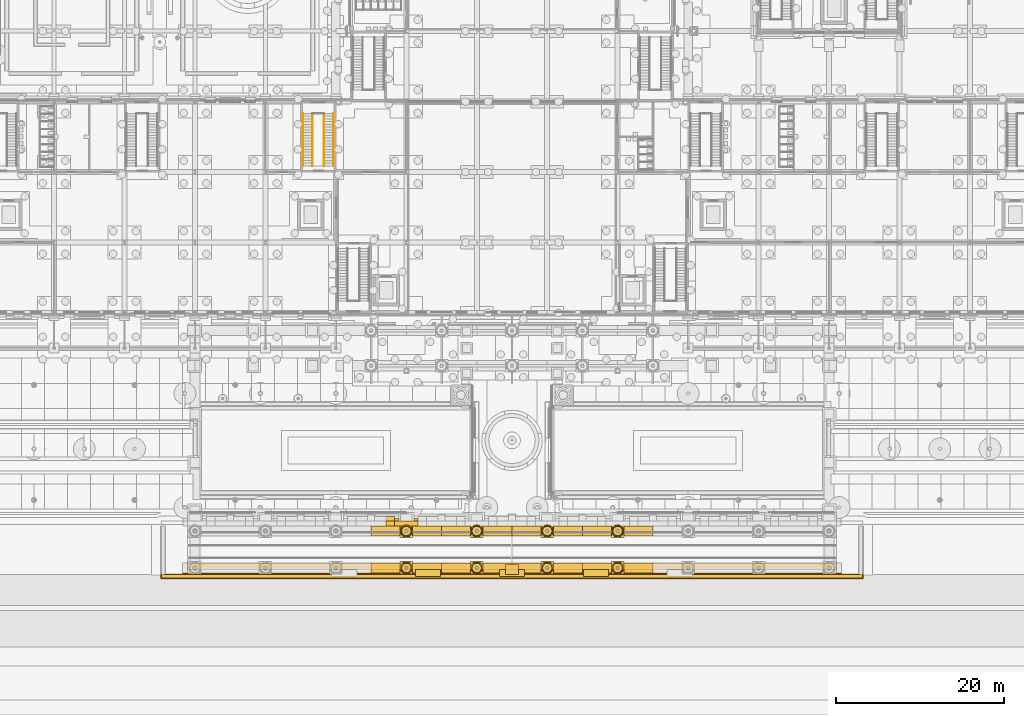
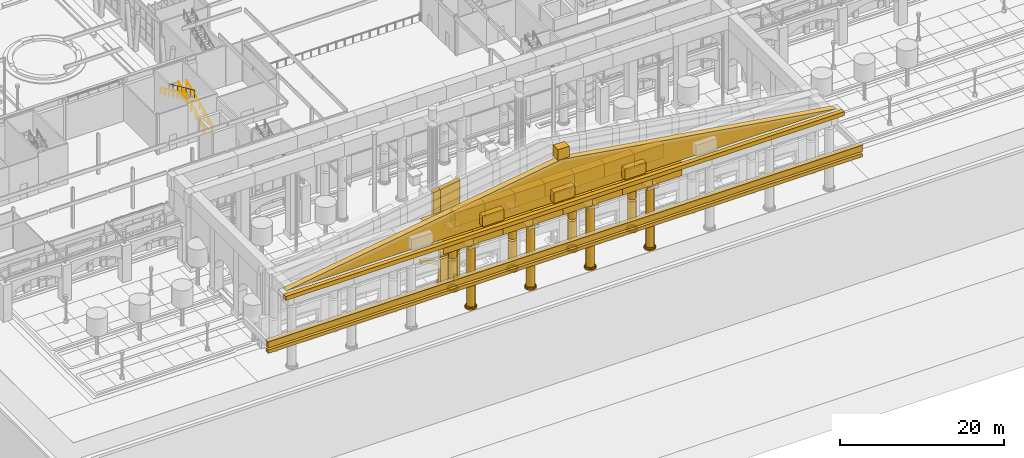
# One storey, part 120 of 222: 71 coverings, 4 railings.
"""IFC4 building model written with IfcOpenShell, lengths in metres."""

from ifc_helpers import new_model, si_unit, direction, frame, origin, origin_2d, place, context, subcontext, project, spatial, polyline, rectangle, circle, hollow_circle, outline, extrude, material, layer, layer_set, material_profile, profile_set, type_object, element, save


model = new_model("IFC4")

# Units and contexts
model_context = context("Model", 3, precision=1e-05, world=origin(), true_north=direction((0.0, 1.0)))
body_context = subcontext(model_context, "Body", "Model", "MODEL_VIEW")
ifc_project = project(units=[si_unit("LENGTHUNIT", "METRE"), si_unit("AREAUNIT", "SQUARE_METRE"), si_unit("VOLUMEUNIT", "CUBIC_METRE"), si_unit("PLANEANGLEUNIT", "RADIAN"), si_unit("MASSUNIT", "GRAM", prefix="KILO")], contexts=[model_context])

# Site, building, storey
site_placement = place(None, origin())
site = spatial("IfcSite", under=ifc_project, at=site_placement, CompositionType="ELEMENT")
building_placement = place(site_placement, origin())
building = spatial("IfcBuilding", under=site, at=building_placement, Name="Sava Quay Ferry Terminal", CompositionType="ELEMENT")
storey_placement = place(building_placement, origin())
storey = spatial("IfcBuildingStorey", under=building, at=storey_placement, Name="L00", CompositionType="ELEMENT", Elevation=0.0)

# Coverings
ifc_material_1 = material(Name="Limestone Mutalj", Category="masonry")
ifc_layer_1 = layer(ifc_material_1, 0.60009765625)
ifc_layer_set_1 = layer_set([ifc_layer_1], Name="Limestone Mutalj")
covering_type_1 = type_object("IfcCoveringType", Name="Arcade wall pier 2800", PredefinedType="CLADDING", material=ifc_layer_set_1)
covering_1_placement = place(storey_placement, frame((50.39990234375, 0.10009765625, 0.0), z_axis=(0.0, 0.0, 1.0), x_axis=(1.0, 0.0, 0.0)))
element("IfcCovering", 1, at=covering_1_placement, inside=storey, type_object=covering_type_1, Name="Arcade wall pier", PredefinedType="CLADDING", context=body_context, shape_type="SweptSolid", body=[
    extrude(rectangle(XDim=2.800048828125, YDim=0.60009765625, at=origin_2d()), origin(), (0.0, 0.0, 1.0), 4.5),
])
ifc_material_2 = material(Name="Limestone Mutalj", Category="masonry")
ifc_layer_2 = layer(ifc_material_2, 0.5)
ifc_layer_set_2 = layer_set([ifc_layer_2], Name="Limestone Mutalj")
covering_type_2 = type_object("IfcCoveringType", Name="Arch archivolt 500", PredefinedType="MOLDING", material=ifc_layer_set_2)
covering_2_placement = place(storey_placement, frame((46.64990234375, 0.39990234375, 4.1279296875), z_axis=(0.0, -1.0, 0.0), x_axis=(0.993307380301, 0.0, -0.115500858175)))
element("IfcCovering", 2, at=covering_2_placement, inside=storey, type_object=covering_type_2, Name="Arch archivolt", PredefinedType="MOLDING", context=body_context, shape_type="SweptSolid", body=[
    extrude(outline(polyline([(0.0, 0.0), (0.16910047517119814, 3.469446951953614e-18), (0.3386916034020246, -0.0063333722524431535), (0.5092865965134697, -0.019186226538567767), (0.6803722426845432, -0.03837245307713555), (0.8524617537362355, -0.06407816164938478), (1.025154711654367, -0.09708726921265261), (1.1988797329048202, -0.13685836549424574), (1.3734789061580595, -0.18414716899979858), (1.5487661216328463, -0.2394668915503016), (1.7251981942467658, -0.30251862955770537), (1.9024593013407467, -0.3748138200332787), (2.0810062578323745, -0.4560535593889721), (2.2605232410625775, -0.5477492846360541), (2.4415516613040493, -0.6503296122404072), (2.3707453490783825, -0.04139532709967292), (2.1917190189078077, 0.04396702589496604), (2.013922141231474, 0.12086984337877266), (1.8368415042283905, 0.18949923513298525), (1.66090572436444, 0.25039661143029707), (1.4856015898186314, 0.3037480820519464), (1.3113013201534418, 0.3505800706399143), (1.1375762989029885, 0.39035116692150745), (0.9645844373968073, 0.42381708940236024), (0.7925682423195425, 0.4510060365341754), (0.6210145018502029, 0.4721041180981913), (0.4503800309063738, 0.48741023768245734), (0.28017981611876747, 0.4968679983835679), (0.11089887085667155, 0.5005337971049285), (-0.05800421515260716, 0.4988362503124215), (0.0, 0.0)])), origin(), (0.0, 0.0, -1.0), 0.5),
])
ifc_material_3 = material(Name="Limestone Mutalj", Category="masonry")
ifc_layer_3 = layer(ifc_material_3, 0.60009765625)
ifc_layer_set_3 = layer_set([ifc_layer_3], Name="Limestone Mutalj")
covering_type_3 = type_object("IfcCoveringType", Name="Attic wall pier 2800", PredefinedType="CLADDING", material=ifc_layer_set_3)
covering_3_placement = place(storey_placement, frame((49.0, -0.199951171875, 4.800048828125), z_axis=(0.0, -1.0, 0.0), x_axis=(1.0, 0.0, 0.0)))
element("IfcCovering", 3, at=covering_3_placement, inside=storey, type_object=covering_type_3, Name="Attic wall pier", PredefinedType="CLADDING", context=body_context, shape_type="SweptSolid", body=[
    extrude(outline(polyline([(0.0, 0.0), (2.800048828125, 0.0), (2.800048828125, 10.513671875), (0.0, 10.079345703125), (0.0, 0.0)])), origin(), (0.0, 0.0, -1.0), 0.60009765625),
])
ifc_material_4 = material(Name="Limestone Mutalj", Category="masonry")
ifc_layer_4 = layer(ifc_material_4, 0.60009765625)
ifc_layer_set_4 = layer_set([ifc_layer_4], Name="Limestone Mutalj")
covering_type_4 = type_object("IfcCoveringType", Name="Attic window jamb panel 600", PredefinedType="CLADDING", material=ifc_layer_set_4)
covering_4_placement = place(storey_placement, frame((48.0, -0.199951171875, 6.199951171875), z_axis=(0.0, -1.0, 0.0), x_axis=(1.0, 0.0, 0.0)))
element("IfcCovering", 4, at=covering_4_placement, inside=storey, type_object=covering_type_4, Name="Attic window jamb panel", PredefinedType="CLADDING", context=body_context, shape_type="SweptSolid", body=[
    extrude(outline(polyline([(0.0, 0.0), (1.0, 0.0), (1.0, 8.679443359375), (0.0, 8.5244140625), (0.0, 0.0)])), origin(), (0.0, 0.0, -1.0), 0.60009765625),
])
ifc_material_5 = material(Name="Limestone Mutalj ashlar", Category="masonry")
ifc_material_profile_1 = material_profile(ifc_material_5, hollow_circle(Radius=0.75, WallThickness=0.199951171875, at=origin_2d()), Name="Base plinth 1500")
ifc_profile_set_1 = profile_set([ifc_material_profile_1], Name="Limestone Mutalj ashlar")
covering_type_5 = type_object("IfcCoveringType", Name="Giant-order base plinth 1500", PredefinedType="CLADDING", material=ifc_profile_set_1)
for number, where, z_axis, x_axis, name in (
    (5, (50.39990234375, -5.199951171875, 0.0), (0.0, 0.0, 1.0), (1.0, 0.0, 0.0), "Giant-order base plinth"),
    (6, (50.39990234375, -0.800048828125, 0.0), (0.0, 0.0, 1.0), (1.0, 0.0, 0.0), "Giant-order base plinth"),
    (7, (58.800048828125, -5.199951171875, 0.0), (0.0, 0.0, 1.0), (1.0, 0.0, 0.0), "Giant-order base plinth"),
    (8, (58.800048828125, -0.800048828125, 0.0), (0.0, 0.0, 1.0), (1.0, 0.0, 0.0), "Giant-order base plinth"),
    (9, (67.199951171875, -5.199951171875, 0.0), (0.0, 0.0, 1.0), (1.0, 0.0, 0.0), "Giant-order base plinth"),
    (10, (67.199951171875, -0.800048828125, 0.0), (0.0, 0.0, 1.0), (1.0, 0.0, 0.0), "Giant-order base plinth"),
    (11, (75.60009765625, -5.199951171875, 0.0), (0.0, 0.0, 1.0), (1.0, 0.0, 0.0), "Giant-order base plinth"),
    (12, (75.60009765625, -0.800048828125, 0.0), (0.0, 0.0, 1.0), (1.0, 0.0, 0.0), "Giant-order base plinth"),
):
    element("IfcCovering", number, at=place(storey_placement, frame(where, z_axis=z_axis, x_axis=x_axis)), inside=storey, type_object=covering_type_5, Name=name, PredefinedType="CLADDING", context=body_context, shape_type="SweptSolid", body=[
        extrude(hollow_circle(Radius=0.75, WallThickness=0.199951171875, at=origin_2d()), origin(), (0.0, 0.0, 1.0), 0.179931640625),
    ])
ifc_material_6 = material(Name="Limestone Mutalj ashlar", Category="masonry")
ifc_material_profile_2 = material_profile(ifc_material_6, hollow_circle(Radius=0.64990234375, WallThickness=0.10009765625, at=origin_2d()), Name="Base roll 1300")
ifc_profile_set_2 = profile_set([ifc_material_profile_2], Name="Limestone Mutalj ashlar")
covering_type_6 = type_object("IfcCoveringType", Name="Giant-order base roll 1300", PredefinedType="CLADDING", material=ifc_profile_set_2)
for number, where, z_axis, x_axis, name in (
    (13, (50.39990234375, -5.199951171875, 0.179931640625), (0.0, 0.0, 1.0), (1.0, 0.0, 0.0), "Giant-order base roll"),
    (14, (50.39990234375, -0.800048828125, 0.179931640625), (0.0, 0.0, 1.0), (1.0, 0.0, 0.0), "Giant-order base roll"),
    (15, (58.800048828125, -5.199951171875, 0.179931640625), (0.0, 0.0, 1.0), (1.0, 0.0, 0.0), "Giant-order base roll"),
    (16, (58.800048828125, -0.800048828125, 0.179931640625), (0.0, 0.0, 1.0), (1.0, 0.0, 0.0), "Giant-order base roll"),
    (17, (67.199951171875, -5.199951171875, 0.179931640625), (0.0, 0.0, 1.0), (1.0, 0.0, 0.0), "Giant-order base roll"),
    (18, (67.199951171875, -0.800048828125, 0.179931640625), (0.0, 0.0, 1.0), (1.0, 0.0, 0.0), "Giant-order base roll"),
    (19, (75.60009765625, -5.199951171875, 0.179931640625), (0.0, 0.0, 1.0), (1.0, 0.0, 0.0), "Giant-order base roll"),
    (20, (75.60009765625, -0.800048828125, 0.179931640625), (0.0, 0.0, 1.0), (1.0, 0.0, 0.0), "Giant-order base roll"),
):
    element("IfcCovering", number, at=place(storey_placement, frame(where, z_axis=z_axis, x_axis=x_axis)), inside=storey, type_object=covering_type_6, Name=name, PredefinedType="CLADDING", context=body_context, shape_type="SweptSolid", body=[
        extrude(hollow_circle(Radius=0.64990234375, WallThickness=0.10009765625, at=origin_2d()), origin(), (0.0, 0.0, 1.0), 0.18017578125),
    ])
ifc_material_7 = material(Name="Limestone Mutalj", Category="masonry")
ifc_layer_5 = layer(ifc_material_7, 0.5)
ifc_layer_set_5 = layer_set([ifc_layer_5], Name="Limestone Mutalj")
covering_type_7 = type_object("IfcCoveringType", Name="Giant-order capital 1500", PredefinedType="CLADDING", material=ifc_layer_set_5)
for number, where, z_axis, x_axis, name in (
    (21, (50.39990234375, -5.199951171875, 9.10009765625), (0.0, 0.0, 1.0), (1.0, 0.0, 0.0), "Giant-order capital"),
    (22, (50.39990234375, -0.800048828125, 9.10009765625), (0.0, 0.0, 1.0), (1.0, 0.0, 0.0), "Giant-order capital"),
    (23, (58.800048828125, -5.199951171875, 9.10009765625), (0.0, 0.0, 1.0), (1.0, 0.0, 0.0), "Giant-order capital"),
    (24, (58.800048828125, -0.800048828125, 9.10009765625), (0.0, 0.0, 1.0), (1.0, 0.0, 0.0), "Giant-order capital"),
    (25, (67.199951171875, -5.199951171875, 9.10009765625), (0.0, 0.0, 1.0), (1.0, 0.0, 0.0), "Giant-order capital"),
    (26, (67.199951171875, -0.800048828125, 9.10009765625), (0.0, 0.0, 1.0), (1.0, 0.0, 0.0), "Giant-order capital"),
    (27, (75.60009765625, -5.199951171875, 9.10009765625), (0.0, 0.0, 1.0), (1.0, 0.0, 0.0), "Giant-order capital"),
    (28, (75.60009765625, -0.800048828125, 9.10009765625), (0.0, 0.0, 1.0), (1.0, 0.0, 0.0), "Giant-order capital"),
):
    element("IfcCovering", number, at=place(storey_placement, frame(where, z_axis=z_axis, x_axis=x_axis)), inside=storey, type_object=covering_type_7, Name=name, PredefinedType="CLADDING", context=body_context, shape_type="SweptSolid", body=[
        extrude(rectangle(XDim=1.5, YDim=1.5, at=origin_2d()), origin(), (0.0, 0.0, 1.0), 0.5),
    ])
ifc_material_8 = material(Name="Limestone Mutalj ashlar", Category="masonry")
ifc_material_profile_3 = material_profile(ifc_material_8, hollow_circle(Radius=0.550048828125, WallThickness=0.37158203125, at=origin_2d()), Name="Stone shaft D1100")
ifc_profile_set_3 = profile_set([ifc_material_profile_3], Name="Limestone Mutalj ashlar")
covering_type_8 = type_object("IfcCoveringType", Name="Giant-order stone shaft D1100", PredefinedType="CLADDING", material=ifc_profile_set_3)
covering_5_placement = place(storey_placement, frame((50.39990234375, -5.199951171875, 0.0), z_axis=(0.0, 0.0, 1.0), x_axis=(1.0, 0.0, 0.0)))
element("IfcCovering", 29, at=covering_5_placement, inside=storey, type_object=covering_type_8, Name="Giant-order column shaft", PredefinedType="CLADDING", context=body_context, shape_type="SweptSolid", body=[
    extrude(hollow_circle(Radius=0.550048828125, WallThickness=0.37158203125, at=origin_2d()), origin(), (0.0, 0.0, 1.0), 4.5),
])
covering_6_placement = place(storey_placement, frame((50.39990234375, -5.199951171875, 4.800048828125), z_axis=(0.0, 0.0, 1.0), x_axis=(1.0, 0.0, 0.0)))
element("IfcCovering", 30, at=covering_6_placement, inside=storey, type_object=covering_type_8, Name="Giant-order column shaft", PredefinedType="CLADDING", context=body_context, shape_type="SweptSolid", body=[
    extrude(hollow_circle(Radius=0.550048828125, WallThickness=0.37158203125, at=origin_2d()), origin(), (0.0, 0.0, 1.0), 4.300048828125),
])
covering_7_placement = place(storey_placement, frame((50.39990234375, -0.800048828125, 0.0), z_axis=(0.0, 0.0, 1.0), x_axis=(1.0, 0.0, 0.0)))
element("IfcCovering", 31, at=covering_7_placement, inside=storey, type_object=covering_type_8, Name="Giant-order column shaft", PredefinedType="CLADDING", context=body_context, shape_type="SweptSolid", body=[
    extrude(hollow_circle(Radius=0.550048828125, WallThickness=0.37158203125, at=origin_2d()), origin(), (0.0, 0.0, 1.0), 4.5),
])
covering_8_placement = place(storey_placement, frame((50.39990234375, -0.800048828125, 4.800048828125), z_axis=(0.0, 0.0, 1.0), x_axis=(1.0, 0.0, 0.0)))
element("IfcCovering", 32, at=covering_8_placement, inside=storey, type_object=covering_type_8, Name="Giant-order column shaft", PredefinedType="CLADDING", context=body_context, shape_type="SweptSolid", body=[
    extrude(hollow_circle(Radius=0.550048828125, WallThickness=0.37158203125, at=origin_2d()), origin(), (0.0, 0.0, 1.0), 4.300048828125),
])
covering_9_placement = place(storey_placement, frame((58.800048828125, -5.199951171875, 0.0), z_axis=(0.0, 0.0, 1.0), x_axis=(1.0, 0.0, 0.0)))
element("IfcCovering", 33, at=covering_9_placement, inside=storey, type_object=covering_type_8, Name="Giant-order column shaft", PredefinedType="CLADDING", context=body_context, shape_type="SweptSolid", body=[
    extrude(hollow_circle(Radius=0.550048828125, WallThickness=0.37158203125, at=origin_2d()), origin(), (0.0, 0.0, 1.0), 4.5),
])
covering_10_placement = place(storey_placement, frame((58.800048828125, -5.199951171875, 4.800048828125), z_axis=(0.0, 0.0, 1.0), x_axis=(1.0, 0.0, 0.0)))
element("IfcCovering", 34, at=covering_10_placement, inside=storey, type_object=covering_type_8, Name="Giant-order column shaft", PredefinedType="CLADDING", context=body_context, shape_type="SweptSolid", body=[
    extrude(hollow_circle(Radius=0.550048828125, WallThickness=0.37158203125, at=origin_2d()), origin(), (0.0, 0.0, 1.0), 4.300048828125),
])
covering_11_placement = place(storey_placement, frame((58.800048828125, -0.800048828125, 0.0), z_axis=(0.0, 0.0, 1.0), x_axis=(1.0, 0.0, 0.0)))
element("IfcCovering", 35, at=covering_11_placement, inside=storey, type_object=covering_type_8, Name="Giant-order column shaft", PredefinedType="CLADDING", context=body_context, shape_type="SweptSolid", body=[
    extrude(hollow_circle(Radius=0.550048828125, WallThickness=0.37158203125, at=origin_2d()), origin(), (0.0, 0.0, 1.0), 4.5),
])
covering_12_placement = place(storey_placement, frame((58.800048828125, -0.800048828125, 4.800048828125), z_axis=(0.0, 0.0, 1.0), x_axis=(1.0, 0.0, 0.0)))
element("IfcCovering", 36, at=covering_12_placement, inside=storey, type_object=covering_type_8, Name="Giant-order column shaft", PredefinedType="CLADDING", context=body_context, shape_type="SweptSolid", body=[
    extrude(hollow_circle(Radius=0.550048828125, WallThickness=0.37158203125, at=origin_2d()), origin(), (0.0, 0.0, 1.0), 4.300048828125),
])
covering_13_placement = place(storey_placement, frame((67.199951171875, -5.199951171875, 0.0), z_axis=(0.0, 0.0, 1.0), x_axis=(1.0, 0.0, 0.0)))
element("IfcCovering", 37, at=covering_13_placement, inside=storey, type_object=covering_type_8, Name="Giant-order column shaft", PredefinedType="CLADDING", context=body_context, shape_type="SweptSolid", body=[
    extrude(hollow_circle(Radius=0.550048828125, WallThickness=0.37158203125, at=origin_2d()), origin(), (0.0, 0.0, 1.0), 4.5),
])
covering_14_placement = place(storey_placement, frame((67.199951171875, -5.199951171875, 4.800048828125), z_axis=(0.0, 0.0, 1.0), x_axis=(1.0, 0.0, 0.0)))
element("IfcCovering", 38, at=covering_14_placement, inside=storey, type_object=covering_type_8, Name="Giant-order column shaft", PredefinedType="CLADDING", context=body_context, shape_type="SweptSolid", body=[
    extrude(hollow_circle(Radius=0.550048828125, WallThickness=0.37158203125, at=origin_2d()), origin(), (0.0, 0.0, 1.0), 4.300048828125),
])
covering_15_placement = place(storey_placement, frame((67.199951171875, -0.800048828125, 0.0), z_axis=(0.0, 0.0, 1.0), x_axis=(1.0, 0.0, 0.0)))
element("IfcCovering", 39, at=covering_15_placement, inside=storey, type_object=covering_type_8, Name="Giant-order column shaft", PredefinedType="CLADDING", context=body_context, shape_type="SweptSolid", body=[
    extrude(hollow_circle(Radius=0.550048828125, WallThickness=0.37158203125, at=origin_2d()), origin(), (0.0, 0.0, 1.0), 4.5),
])
covering_16_placement = place(storey_placement, frame((67.199951171875, -0.800048828125, 4.800048828125), z_axis=(0.0, 0.0, 1.0), x_axis=(1.0, 0.0, 0.0)))
element("IfcCovering", 40, at=covering_16_placement, inside=storey, type_object=covering_type_8, Name="Giant-order column shaft", PredefinedType="CLADDING", context=body_context, shape_type="SweptSolid", body=[
    extrude(hollow_circle(Radius=0.550048828125, WallThickness=0.37158203125, at=origin_2d()), origin(), (0.0, 0.0, 1.0), 4.300048828125),
])
covering_17_placement = place(storey_placement, frame((75.60009765625, -5.199951171875, 0.0), z_axis=(0.0, 0.0, 1.0), x_axis=(1.0, 0.0, 0.0)))
element("IfcCovering", 41, at=covering_17_placement, inside=storey, type_object=covering_type_8, Name="Giant-order column shaft", PredefinedType="CLADDING", context=body_context, shape_type="SweptSolid", body=[
    extrude(hollow_circle(Radius=0.550048828125, WallThickness=0.37158203125, at=origin_2d()), origin(), (0.0, 0.0, 1.0), 4.5),
])
covering_18_placement = place(storey_placement, frame((75.60009765625, -5.199951171875, 4.800048828125), z_axis=(0.0, 0.0, 1.0), x_axis=(1.0, 0.0, 0.0)))
element("IfcCovering", 42, at=covering_18_placement, inside=storey, type_object=covering_type_8, Name="Giant-order column shaft", PredefinedType="CLADDING", context=body_context, shape_type="SweptSolid", body=[
    extrude(hollow_circle(Radius=0.550048828125, WallThickness=0.37158203125, at=origin_2d()), origin(), (0.0, 0.0, 1.0), 4.300048828125),
])
covering_19_placement = place(storey_placement, frame((75.60009765625, -0.800048828125, 0.0), z_axis=(0.0, 0.0, 1.0), x_axis=(1.0, 0.0, 0.0)))
element("IfcCovering", 43, at=covering_19_placement, inside=storey, type_object=covering_type_8, Name="Giant-order column shaft", PredefinedType="CLADDING", context=body_context, shape_type="SweptSolid", body=[
    extrude(hollow_circle(Radius=0.550048828125, WallThickness=0.37158203125, at=origin_2d()), origin(), (0.0, 0.0, 1.0), 4.5),
])
covering_20_placement = place(storey_placement, frame((75.60009765625, -0.800048828125, 4.800048828125), z_axis=(0.0, 0.0, 1.0), x_axis=(1.0, 0.0, 0.0)))
element("IfcCovering", 44, at=covering_20_placement, inside=storey, type_object=covering_type_8, Name="Giant-order column shaft", PredefinedType="CLADDING", context=body_context, shape_type="SweptSolid", body=[
    extrude(hollow_circle(Radius=0.550048828125, WallThickness=0.37158203125, at=origin_2d()), origin(), (0.0, 0.0, 1.0), 4.300048828125),
])

# Railings
ifc_material_9 = material(Name="Steel S355", Category="steel")
railing_type_1 = type_object("IfcRailingType", Name="Guard 1100", PredefinedType="GUARDRAIL", material=ifc_material_9)
railing_1_placement = place(storey_placement, frame((40.60009765625, 42.72998046875, 0.14990234375)))
element("IfcRailing", 45, at=railing_1_placement, inside=storey, type_object=railing_type_1, Name="Guard at stair well ST-W2 L00", PredefinedType="GUARDRAIL", context=body_context, shape_type="SweptSolid", body=[
    extrude(circle(Radius=0.02392578125, at=origin_2d()), frame((0.0, 0.0, 1.076171875), z_axis=(0.0, 0.910361621584, 0.413813627068), x_axis=(-1.0, 0.0, 0.0)), (0.0, 0.0, 1.0), 6.887451171875),
    extrude(circle(Radius=0.02099609375, at=origin_2d()), origin(), (0.0, 0.0, 1.0), 1.052001953125),
    extrude(circle(Radius=0.02099609375, at=origin_2d()), frame((0.0, 1.044921875, 0.47509765625)), (0.0, 0.0, 1.0), 1.052001953125),
    extrude(circle(Radius=0.02099609375, at=origin_2d()), frame((0.0, 2.090087890625, 0.949951171875)), (0.0, 0.0, 1.0), 1.052001953125),
    extrude(circle(Radius=0.02099609375, at=origin_2d()), frame((0.0, 3.135009765625, 1.425048828125)), (0.0, 0.0, 1.0), 1.052001953125),
    extrude(circle(Radius=0.02099609375, at=origin_2d()), frame((0.0, 4.179931640625, 1.900146484375)), (0.0, 0.0, 1.0), 1.052001953125),
    extrude(circle(Radius=0.02099609375, at=origin_2d()), frame((0.0, 5.22509765625, 2.375)), (0.0, 0.0, 1.0), 1.052001953125),
    extrude(circle(Radius=0.02099609375, at=origin_2d()), frame((0.0, 6.27001953125, 2.85009765625)), (0.0, 0.0, 1.0), 1.052001953125),
])
railing_2_placement = place(storey_placement, frame((39.199951171875, 49.0, 3.14990234375)))
element("IfcRailing", 46, at=railing_2_placement, inside=storey, type_object=railing_type_1, Name="Guard at stair well ST-W2 L00", PredefinedType="GUARDRAIL", context=body_context, shape_type="SweptSolid", body=[
    extrude(circle(Radius=0.02392578125, at=origin_2d()), frame((0.0, 0.0, 1.076171875), z_axis=(0.0, -0.910361621584, 0.413813627068), x_axis=(1.0, 0.0, 0.0)), (0.0, 0.0, 1.0), 6.887451171875),
    extrude(circle(Radius=0.02099609375, at=origin_2d()), origin(), (0.0, 0.0, 1.0), 1.052001953125),
    extrude(circle(Radius=0.02099609375, at=origin_2d()), frame((0.0, -1.044921875, 0.47509765625)), (0.0, 0.0, 1.0), 1.052001953125),
    extrude(circle(Radius=0.02099609375, at=origin_2d()), frame((0.0, -2.090087890625, 0.949951171875)), (0.0, 0.0, 1.0), 1.052001953125),
    extrude(circle(Radius=0.02099609375, at=origin_2d()), frame((0.0, -3.135009765625, 1.425048828125)), (0.0, 0.0, 1.0), 1.052001953125),
    extrude(circle(Radius=0.02099609375, at=origin_2d()), frame((0.0, -4.179931640625, 1.900146484375)), (0.0, 0.0, 1.0), 1.052001953125),
    extrude(circle(Radius=0.02099609375, at=origin_2d()), frame((0.0, -5.22509765625, 2.375)), (0.0, 0.0, 1.0), 1.052001953125),
    extrude(circle(Radius=0.02099609375, at=origin_2d()), frame((0.0, -6.27001953125, 2.85009765625)), (0.0, 0.0, 1.0), 1.052001953125),
])

# Coverings
ifc_material_10 = material(Name="Limestone Mutalj", Category="masonry")
ifc_layer_6 = layer(ifc_material_10, 0.5)
ifc_layer_set_6 = layer_set([ifc_layer_6], Name="Limestone Mutalj")
covering_type_9 = type_object("IfcCoveringType", Name="Lane roof fascia 500", PredefinedType="MOLDING", material=ifc_layer_set_6)
covering_21_placement = place(storey_placement, frame((63.0, -6.14990234375, 4.0), z_axis=(0.0, 0.0, 1.0), x_axis=(1.0, 0.0, 0.0)))
element("IfcCovering", 47, at=covering_21_placement, inside=storey, type_object=covering_type_9, Name="Lane roof fascia", PredefinedType="MOLDING", context=body_context, shape_type="SweptSolid", body=[
    extrude(rectangle(XDim=83.60009765625, YDim=0.5, at=origin_2d()), origin(), (0.0, 0.0, 1.0), 0.5),
])
ifc_material_11 = material(Name="Limestone Mutalj", Category="masonry")
ifc_layer_7 = layer(ifc_material_11, 0.39990234375)
ifc_layer_set_7 = layer_set([ifc_layer_7], Name="Limestone Mutalj")
covering_type_10 = type_object("IfcCoveringType", Name="Lane roof parapet 400", PredefinedType="CLADDING", material=ifc_layer_set_7)
covering_22_placement = place(storey_placement, frame((63.0, -6.199951171875, 4.800048828125), z_axis=(0.0, 0.0, 1.0), x_axis=(1.0, 0.0, 0.0)))
element("IfcCovering", 48, at=covering_22_placement, inside=storey, type_object=covering_type_10, Name="Lane roof parapet", PredefinedType="CLADDING", context=body_context, shape_type="SweptSolid", body=[
    extrude(rectangle(XDim=83.60009765625, YDim=0.39990234375, at=origin_2d()), origin(), (0.0, 0.0, 1.0), 0.89990234375),
])
ifc_material_12 = material(Name="Limestone Mutalj", Category="masonry")
ifc_layer_8 = layer(ifc_material_12, 0.60009765625)
ifc_layer_set_8 = layer_set([ifc_layer_8], Name="Limestone Mutalj")
covering_type_11 = type_object("IfcCoveringType", Name="Lane roof parapet coping 600", PredefinedType="MOLDING", material=ifc_layer_set_8)
covering_23_placement = place(storey_placement, frame((63.0, -6.199951171875, 5.699951171875), z_axis=(0.0, 0.0, 1.0), x_axis=(1.0, 0.0, 0.0)))
element("IfcCovering", 49, at=covering_23_placement, inside=storey, type_object=covering_type_11, Name="Lane roof parapet coping", PredefinedType="MOLDING", context=body_context, shape_type="SweptSolid", body=[
    extrude(rectangle(XDim=83.800048828125, YDim=0.60009765625, at=origin_2d()), origin(), (0.0, 0.0, 1.0), 0.14990234375),
])
ifc_material_13 = material(Name="Limestone Mutalj", Category="masonry")
ifc_layer_9 = layer(ifc_material_13, 1.199951171875)
ifc_layer_set_9 = layer_set([ifc_layer_9], Name="Limestone Mutalj")
covering_type_12 = type_object("IfcCoveringType", Name="Pediment acroterion 1600", PredefinedType="MOLDING", material=ifc_layer_set_9)
covering_24_placement = place(storey_placement, frame((63.0, -5.39990234375, 18.099853515625), z_axis=(0.0, 0.0, 1.0), x_axis=(1.0, 0.0, 0.0)))
element("IfcCovering", 50, at=covering_24_placement, inside=storey, type_object=covering_type_12, Name="Pediment acroterion", PredefinedType="MOLDING", context=body_context, shape_type="SweptSolid", body=[
    extrude(rectangle(XDim=1.60009765625, YDim=1.199951171875, at=origin_2d()), origin(), (0.0, 0.0, 1.0), 1.60009765625),
])
ifc_material_14 = material(Name="Limestone Mutalj", Category="masonry")
ifc_layer_10 = layer(ifc_material_14, 0.800048828125)
ifc_layer_set_10 = layer_set([ifc_layer_10], Name="Limestone Mutalj")
covering_type_13 = type_object("IfcCoveringType", Name="Pediment tympanum 800", PredefinedType="CLADDING", material=ifc_layer_set_10)
covering_25_placement = place(storey_placement, frame((24.300048828125, -5.39990234375, 11.60009765625), z_axis=(0.0, -1.0, 0.0), x_axis=(1.0, 0.0, 0.0)))
element("IfcCovering", 51, at=covering_25_placement, inside=storey, type_object=covering_type_13, Name="Pediment tympanum", PredefinedType="CLADDING", context=body_context, shape_type="SweptSolid", body=[
    extrude(outline(polyline([(0.0, 0.0), (77.39990234375, 0.0), (38.699951171875, 6.0), (0.0, 0.0)])), origin(), (0.0, 0.0, -1.0), 0.800048828125),
])
ifc_material_15 = material(Name="Limestone Mutalj", Category="masonry")
ifc_layer_11 = layer(ifc_material_15, 0.300048828125)
ifc_layer_set_11 = layer_set([ifc_layer_11], Name="Limestone Mutalj")
covering_type_14 = type_object("IfcCoveringType", Name="Pier rustication block 300", PredefinedType="CLADDING", material=ifc_layer_set_11)
for number, where, z_axis, x_axis, name in (
    (52, (49.25, 0.550048828125, 0.0), (0.0, 0.0, 1.0), (1.0, 0.0, 0.0), "Pier rustication block"),
    (53, (51.550048828125, 0.550048828125, 0.0), (0.0, 0.0, 1.0), (1.0, 0.0, 0.0), "Pier rustication block"),
):
    element("IfcCovering", number, at=place(storey_placement, frame(where, z_axis=z_axis, x_axis=x_axis)), inside=storey, type_object=covering_type_14, Name=name, PredefinedType="CLADDING", context=body_context, shape_type="SweptSolid", body=[
        extrude(rectangle(XDim=0.5, YDim=0.300048828125, at=origin_2d()), origin(), (0.0, 0.0, 1.0), 1.0),
    ])
ifc_material_16 = material(Name="Limestone Mutalj", Category="masonry")
ifc_layer_12 = layer(ifc_material_16, 0.800048828125)
ifc_layer_set_12 = layer_set([ifc_layer_12], Name="Limestone Mutalj")
covering_type_15 = type_object("IfcCoveringType", Name="Portico cartouche 800", PredefinedType="CLADDING", material=ifc_layer_set_12)
for number, where, z_axis, x_axis, name in (
    (54, (53.0, -5.800048828125, 12.099853515625), (0.0, 0.0, 1.0), (1.0, 0.0, 0.0), "Portico cartouche"),
    (55, (63.0, -5.800048828125, 12.099853515625), (0.0, 0.0, 1.0), (1.0, 0.0, 0.0), "Portico cartouche"),
    (56, (73.0, -5.800048828125, 12.099853515625), (0.0, 0.0, 1.0), (1.0, 0.0, 0.0), "Portico cartouche"),
):
    element("IfcCovering", number, at=place(storey_placement, frame(where, z_axis=z_axis, x_axis=x_axis)), inside=storey, type_object=covering_type_15, Name=name, PredefinedType="CLADDING", context=body_context, shape_type="SweptSolid", body=[
        extrude(rectangle(XDim=3.0, YDim=0.800048828125, at=origin_2d()), origin(), (0.0, 0.0, 1.0), 1.60009765625),
    ])
ifc_material_17 = material(Name="Limestone Mutalj", Category="masonry")
ifc_layer_13 = layer(ifc_material_17, 0.60009765625)
ifc_layer_set_13 = layer_set([ifc_layer_13], Name="Limestone Mutalj")
covering_type_16 = type_object("IfcCoveringType", Name="Portico cornice 600", PredefinedType="MOLDING", material=ifc_layer_set_13)
covering_26_placement = place(storey_placement, frame((63.0, -6.10009765625, 11.0), z_axis=(0.0, 0.0, 1.0), x_axis=(1.0, 0.0, 0.0)))
element("IfcCovering", 57, at=covering_26_placement, inside=storey, type_object=covering_type_16, Name="Portico cornice", PredefinedType="MOLDING", context=body_context, shape_type="SweptSolid", body=[
    extrude(rectangle(XDim=78.60009765625, YDim=0.60009765625, at=origin_2d()), origin(), (0.0, 0.0, 1.0), 0.60009765625),
])
ifc_material_18 = material(Name="Limestone Mutalj", Category="masonry")
ifc_layer_14 = layer(ifc_material_18, 2.0)
ifc_layer_set_14 = layer_set([ifc_layer_14], Name="Limestone Mutalj")
covering_type_17 = type_object("IfcCoveringType", Name="Portico entablature 2000", PredefinedType="CLADDING", material=ifc_layer_set_14)
for number, where, z_axis, x_axis, name in (
    (58, (48.300048828125, -5.199951171875, 9.60009765625), (0.0, 0.0, 1.0), (1.0, 0.0, 0.0), "Portico entablature"),
    (59, (52.5, -5.199951171875, 9.60009765625), (0.0, 0.0, 1.0), (1.0, 0.0, 0.0), "Portico entablature"),
    (60, (56.699951171875, -5.199951171875, 9.60009765625), (0.0, 0.0, 1.0), (1.0, 0.0, 0.0), "Portico entablature"),
    (61, (60.89990234375, -5.199951171875, 9.60009765625), (0.0, 0.0, 1.0), (1.0, 0.0, 0.0), "Portico entablature"),
    (62, (65.10009765625, -5.199951171875, 9.60009765625), (0.0, 0.0, 1.0), (1.0, 0.0, 0.0), "Portico entablature"),
    (63, (69.300048828125, -5.199951171875, 9.60009765625), (0.0, 0.0, 1.0), (1.0, 0.0, 0.0), "Portico entablature"),
    (64, (73.5, -5.199951171875, 9.60009765625), (0.0, 0.0, 1.0), (1.0, 0.0, 0.0), "Portico entablature"),
    (65, (77.699951171875, -5.199951171875, 9.60009765625), (0.0, 0.0, 1.0), (1.0, 0.0, 0.0), "Portico entablature"),
    (66, (48.300048828125, -0.800048828125, 9.60009765625), (0.0, 0.0, 1.0), (1.0, 0.0, 0.0), "Portico entablature"),
    (67, (52.5, -0.800048828125, 9.60009765625), (0.0, 0.0, 1.0), (1.0, 0.0, 0.0), "Portico entablature"),
    (68, (56.699951171875, -0.800048828125, 9.60009765625), (0.0, 0.0, 1.0), (1.0, 0.0, 0.0), "Portico entablature"),
    (69, (60.89990234375, -0.800048828125, 9.60009765625), (0.0, 0.0, 1.0), (1.0, 0.0, 0.0), "Portico entablature"),
    (70, (65.10009765625, -0.800048828125, 9.60009765625), (0.0, 0.0, 1.0), (1.0, 0.0, 0.0), "Portico entablature"),
    (71, (69.300048828125, -0.800048828125, 9.60009765625), (0.0, 0.0, 1.0), (1.0, 0.0, 0.0), "Portico entablature"),
    (72, (73.5, -0.800048828125, 9.60009765625), (0.0, 0.0, 1.0), (1.0, 0.0, 0.0), "Portico entablature"),
    (73, (77.699951171875, -0.800048828125, 9.60009765625), (0.0, 0.0, 1.0), (1.0, 0.0, 0.0), "Portico entablature"),
):
    element("IfcCovering", number, at=place(storey_placement, frame(where, z_axis=z_axis, x_axis=x_axis)), inside=storey, type_object=covering_type_17, Name=name, PredefinedType="CLADDING", context=body_context, shape_type="SweptSolid", body=[
        extrude(rectangle(XDim=4.199951171875, YDim=1.199951171875, at=origin_2d()), origin(), (0.0, 0.0, 1.0), 2.0),
    ])

# Railings
ifc_material_19 = material(Name="Steel S355", Category="steel")
railing_type_2 = type_object("IfcRailingType", Name="Stair handrail 900", PredefinedType="HANDRAIL", material=ifc_material_19)
railing_3_placement = place(storey_placement, frame((41.739990234375, 42.72998046875, 0.14990234375)))
element("IfcRailing", 74, at=railing_3_placement, inside=storey, type_object=railing_type_2, Name="Handrail ST-W2 L00", PredefinedType="HANDRAIL", context=body_context, shape_type="SweptSolid", body=[
    extrude(circle(Radius=0.02392578125, at=origin_2d()), frame((0.0, 0.0, 0.8759765625), z_axis=(0.0, 0.910361621584, 0.413813627068), x_axis=(-1.0, 0.0, 0.0)), (0.0, 0.0, 1.0), 6.887451171875),
    extrude(circle(Radius=0.02099609375, at=origin_2d()), origin(), (0.0, 0.0, 1.0), 0.851806640625),
    extrude(circle(Radius=0.02099609375, at=origin_2d()), frame((0.0, 1.044921875, 0.47509765625)), (0.0, 0.0, 1.0), 0.851806640625),
    extrude(circle(Radius=0.02099609375, at=origin_2d()), frame((0.0, 2.090087890625, 0.949951171875)), (0.0, 0.0, 1.0), 0.851806640625),
    extrude(circle(Radius=0.02099609375, at=origin_2d()), frame((0.0, 3.135009765625, 1.425048828125)), (0.0, 0.0, 1.0), 0.851806640625),
    extrude(circle(Radius=0.02099609375, at=origin_2d()), frame((0.0, 4.179931640625, 1.900146484375)), (0.0, 0.0, 1.0), 0.851806640625),
    extrude(circle(Radius=0.02099609375, at=origin_2d()), frame((0.0, 5.22509765625, 2.375)), (0.0, 0.0, 1.0), 0.851806640625),
    extrude(circle(Radius=0.02099609375, at=origin_2d()), frame((0.0, 6.27001953125, 2.85009765625)), (0.0, 0.0, 1.0), 0.851806640625),
])
railing_4_placement = place(storey_placement, frame((38.06005859375, 49.0, 3.14990234375)))
element("IfcRailing", 75, at=railing_4_placement, inside=storey, type_object=railing_type_2, Name="Handrail ST-W2 L00", PredefinedType="HANDRAIL", context=body_context, shape_type="SweptSolid", body=[
    extrude(circle(Radius=0.02392578125, at=origin_2d()), frame((0.0, 0.0, 0.8759765625), z_axis=(0.0, -0.910361621584, 0.413813627068), x_axis=(1.0, 0.0, 0.0)), (0.0, 0.0, 1.0), 6.887451171875),
    extrude(circle(Radius=0.02099609375, at=origin_2d()), origin(), (0.0, 0.0, 1.0), 0.851806640625),
    extrude(circle(Radius=0.02099609375, at=origin_2d()), frame((0.0, -1.044921875, 0.47509765625)), (0.0, 0.0, 1.0), 0.851806640625),
    extrude(circle(Radius=0.02099609375, at=origin_2d()), frame((0.0, -2.090087890625, 0.949951171875)), (0.0, 0.0, 1.0), 0.851806640625),
    extrude(circle(Radius=0.02099609375, at=origin_2d()), frame((0.0, -3.135009765625, 1.425048828125)), (0.0, 0.0, 1.0), 0.851806640625),
    extrude(circle(Radius=0.02099609375, at=origin_2d()), frame((0.0, -4.179931640625, 1.900146484375)), (0.0, 0.0, 1.0), 0.851806640625),
    extrude(circle(Radius=0.02099609375, at=origin_2d()), frame((0.0, -5.22509765625, 2.375)), (0.0, 0.0, 1.0), 0.851806640625),
    extrude(circle(Radius=0.02099609375, at=origin_2d()), frame((0.0, -6.27001953125, 2.85009765625)), (0.0, 0.0, 1.0), 0.851806640625),
])

save(model, "model.ifc")
